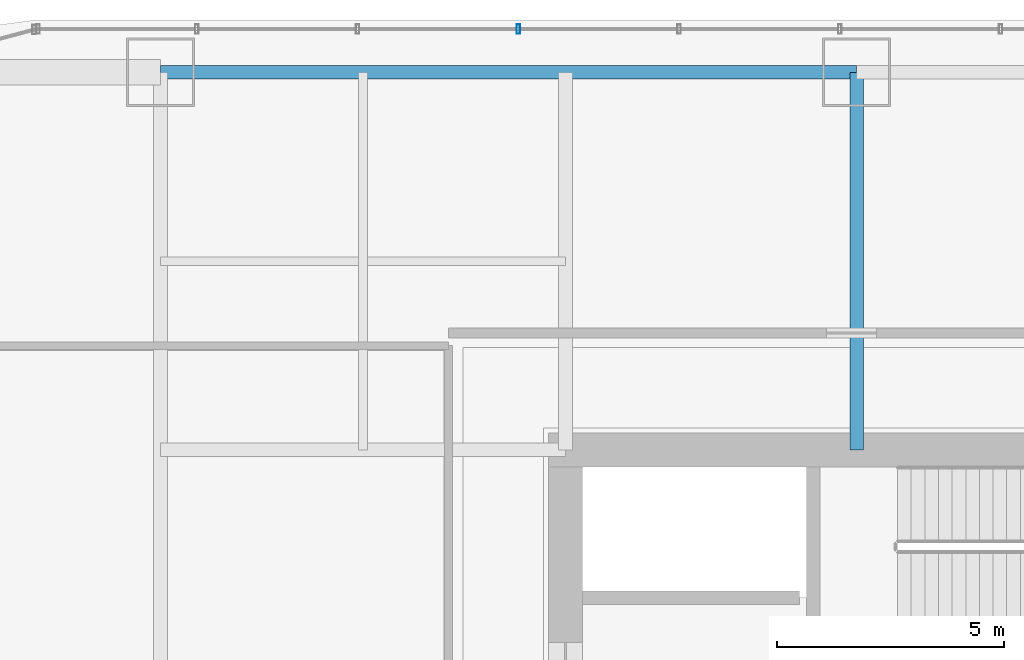
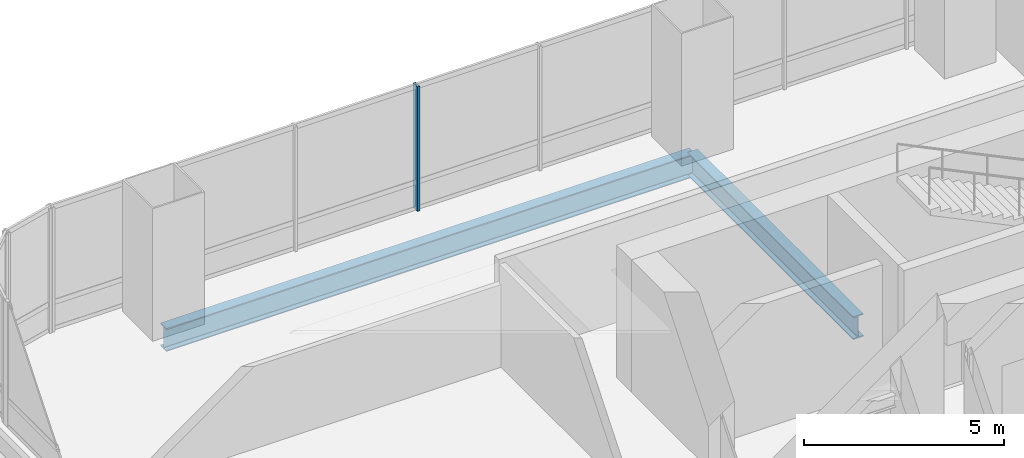
# One storey, part 20 of 35: 2 beams, 1 member, 1 element without a shape of its own.
"""IFC4 building model written with IfcOpenShell, lengths in metres."""

from ifc_helpers import new_model, si_unit, direction, frame, origin, origin_2d, place, context, subcontext, project, spatial, hollow_rectangle, i_section, extrude, material, material_profile, profile_set, type_object, element, aggregate, save


model = new_model("IFC4")

# Units and contexts
model_context = context("Model", 3, precision=1e-05, world=origin(), true_north=direction((0.0, 1.0)))
body_context = subcontext(model_context, "Body", "Model", "MODEL_VIEW")
ifc_project = project(units=[si_unit("LENGTHUNIT", "METRE"), si_unit("AREAUNIT", "SQUARE_METRE"), si_unit("VOLUMEUNIT", "CUBIC_METRE"), si_unit("PLANEANGLEUNIT", "RADIAN"), si_unit("MASSUNIT", "GRAM", prefix="KILO")], contexts=[model_context])

# Site, building, storey
site_placement = place(None, origin())
site = spatial("IfcSite", under=ifc_project, at=site_placement, CompositionType="ELEMENT")
building_placement = place(site_placement, origin())
building = spatial("IfcBuilding", under=site, at=building_placement, Name="Punatoya Terracotta Tower", CompositionType="ELEMENT")
storey_placement = place(building_placement, frame((0.0, 0.0, 52.5)))
storey = spatial("IfcBuildingStorey", under=building, at=storey_placement, Name="L11", CompositionType="ELEMENT", Elevation=52.5)

# Beams
ifc_material_1 = material(Name="Steel S355", Category="steel")
ifc_material_profile_1 = material_profile(ifc_material_1, i_section(OverallWidth=0.300048828125, OverallDepth=0.699951171875, WebThickness=0.01708984375, FlangeThickness=0.031982421875, FilletRadius=0.01806640625, at=origin_2d()))
ifc_profile_set_1 = profile_set([ifc_material_profile_1], Name="Steel S355")
beam_type = type_object("IfcBeamType", Name="BM-PRI-700", PredefinedType="BEAM", material=ifc_profile_set_1)
beam_1_placement = place(storey_placement, frame((-19.10009765625, 17.5, -0.590087890625), z_axis=(1.0, 0.0, 0.0), x_axis=(0.0, 1.0, 0.0)))
element("IfcBeam", 1, at=beam_1_placement, inside=storey, type_object=beam_type, Name="BM-L11-RG-N1", PredefinedType="BEAM", context=body_context, shape_type="SweptSolid", body=[
    extrude(i_section(OverallWidth=0.300048828125, OverallDepth=0.699951171875, WebThickness=0.01708984375, FlangeThickness=0.031982421875, FilletRadius=0.01806640625, at=origin_2d()), origin(), (0.0, 0.0, 1.0), 15.300048828125),
])
beam_2_placement = place(storey_placement, frame((-3.800048828125, 9.199951171875, -0.590087890625), z_axis=(0.0, 1.0, 0.0), x_axis=(-1.0, 0.0, 0.0)))
element("IfcBeam", 2, at=beam_2_placement, inside=storey, type_object=beam_type, Name="BM-L11-PR-N2", PredefinedType="BEAM", context=body_context, shape_type="SweptSolid", body=[
    extrude(i_section(OverallWidth=0.300048828125, OverallDepth=0.699951171875, WebThickness=0.01708984375, FlangeThickness=0.031982421875, FilletRadius=0.01806640625, at=origin_2d()), origin(), (0.0, 0.0, 1.0), 8.300048828125),
])

# Curtain wall, member
ifc_material_2 = material(Name="Aluminium 6063-T6 + Double Low-E Glass", Category="aluminium")
curtain_wall_type = type_object("IfcCurtainWallType", Name="CW-M1", PredefinedType="NOTDEFINED", material=ifc_material_2)
curtain_wall_placement = place(storey_placement, origin())
curtain_wall = element("IfcCurtainWall", 3, at=curtain_wall_placement, inside=storey, type_object=curtain_wall_type, Name="L11 Curtain Wall CW-L11-N09-1", PredefinedType="NOTDEFINED")
ifc_material_3 = material(Name="Aluminium 6063-T6", Category="aluminium")
ifc_material_profile_2 = material_profile(ifc_material_3, hollow_rectangle(XDim=0.074951171875, YDim=0.2099609375, WallThickness=0.00439453125, at=origin_2d()))
ifc_profile_set_2 = profile_set([ifc_material_profile_2], Name="Aluminium 6063-T6")
member_type = type_object("IfcMemberType", Name="CW-MUL-M1", PredefinedType="MULLION", material=ifc_profile_set_2)
member_placement = place(storey_placement, frame((-11.235107421875, 18.449951171875, 0.0), z_axis=(0.0, 0.0, 1.0), x_axis=(1.0, 0.0, 0.0)))
member = element("IfcMember", 4, at=member_placement, type_object=member_type, Name="CW-L11-N09-1 Mullion 08", PredefinedType="MULLION", context=body_context, shape_type="SweptSolid", body=[
    extrude(hollow_rectangle(XDim=0.074951171875, YDim=0.2099609375, WallThickness=0.00439453125, at=origin_2d()), origin(), (0.0, 0.0, 1.0), 3.81005859375),
])
aggregate(curtain_wall, [member])

save(model, "model.ifc")
